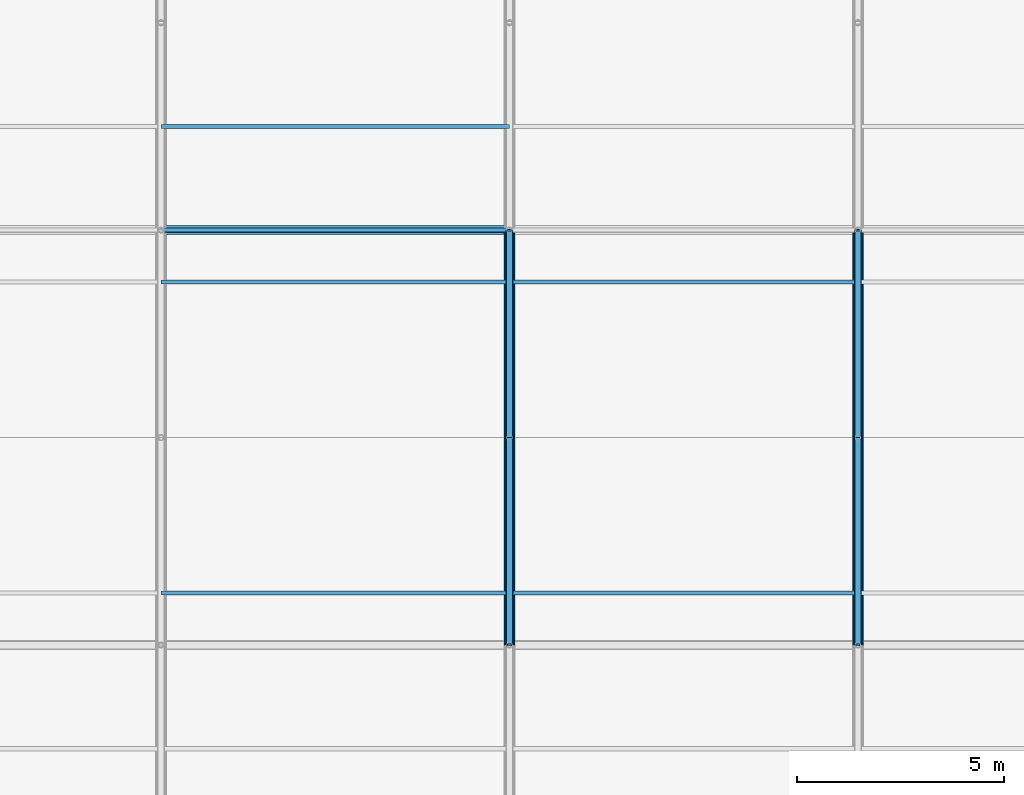
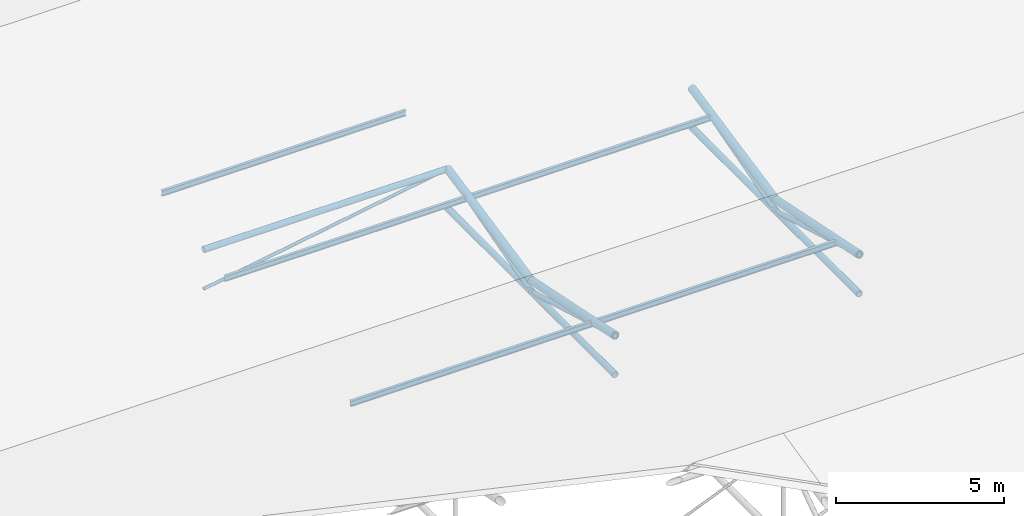
# One storey, part 39 of 194: 14 members, 5 beams.
"""IFC4 building model written with IfcOpenShell, lengths in metres."""

from ifc_helpers import new_model, si_unit, direction, frame, origin, origin_2d, place, context, subcontext, project, spatial, hollow_circle, i_section, extrude, material, material_profile, profile_set, type_object, element, save


model = new_model("IFC4")

# Units and contexts
model_context = context("Model", 3, precision=1e-05, world=origin(), true_north=direction((0.0, 1.0)))
body_context = subcontext(model_context, "Body", "Model", "MODEL_VIEW")
ifc_project = project(units=[si_unit("LENGTHUNIT", "METRE"), si_unit("AREAUNIT", "SQUARE_METRE"), si_unit("VOLUMEUNIT", "CUBIC_METRE"), si_unit("PLANEANGLEUNIT", "RADIAN"), si_unit("MASSUNIT", "GRAM", prefix="KILO")], contexts=[model_context])

# Site, building, storey
site_placement = place(None, origin())
site = spatial("IfcSite", under=ifc_project, at=site_placement, CompositionType="ELEMENT")
building_placement = place(site_placement, origin())
building = spatial("IfcBuilding", under=site, at=building_placement, Name="Kazenagashi Tramway Depot", CompositionType="ELEMENT")
storey_placement = place(building_placement, frame((0.0, 0.0, 23.7)))
storey = spatial("IfcBuildingStorey", under=building, at=storey_placement, Name="ROOF", CompositionType="ELEMENT", Elevation=23.7)

# Beams
ifc_material_1 = material(Name="Steel SN400B", Category="steel")
ifc_material_profile_1 = material_profile(ifc_material_1, i_section(OverallWidth=0.1, OverallDepth=0.2, WebThickness=0.0055, FlangeThickness=0.008, at=origin_2d()), Name="H-200x100x5.5x8")
ifc_profile_set_1 = profile_set([ifc_material_profile_1], Name="Steel SN400B")
beam_type = type_object("IfcBeamType", Name="PR-01", PredefinedType="USERDEFINED", material=ifc_profile_set_1)
for number, where, z_axis, x_axis, name in (
    (1, (61.6, 96.25, -12.955), (1.0, 0.0, 0.0), (0.0, 1.0, 0.0), "Beam PR-01 BM-2110"),
    (2, (70.0, 96.25, -12.955), (1.0, 0.0, 0.0), (0.0, 1.0, 0.0), "Beam PR-01 BM-2111"),
    (3, (61.6, 103.75, -12.955), (1.0, 0.0, 0.0), (0.0, 1.0, 0.0), "Beam PR-01 BM-2128"),
    (4, (70.0, 103.75, -12.955), (1.0, 0.0, 0.0), (0.0, 1.0, 0.0), "Beam PR-01 BM-2129"),
    (5, (61.6, 107.5, -12.13), (1.0, 0.0, 0.0), (0.0, 1.0, 0.0), "Beam PR-01 BM-2146"),
):
    element("IfcBeam", number, at=place(storey_placement, frame(where, z_axis=z_axis, x_axis=x_axis)), inside=storey, type_object=beam_type, Name=name, ObjectType="PURLIN", PredefinedType="USERDEFINED", context=body_context, shape_type="SweptSolid", body=[
        extrude(i_section(OverallWidth=0.1, OverallDepth=0.2, WebThickness=0.0055, FlangeThickness=0.008, at=origin_2d()), origin(), (0.0, 0.0, 1.0), 8.4),
    ])

# Members
ifc_material_2 = material(Name="Steel STK490", Category="steel")
ifc_material_profile_2 = material_profile(ifc_material_2, hollow_circle(Radius=0.1337, WallThickness=0.0093, at=origin_2d()), Name="CHS-267.4x9.3")
ifc_profile_set_2 = profile_set([ifc_material_profile_2], Name="Steel STK490")
member_type_1 = type_object("IfcMemberType", Name="TC-01", PredefinedType="CHORD", material=ifc_profile_set_2)
for number, where, z_axis, x_axis, name in (
    (6, (70.0, 95.0, -12.667), (0.0, 0.979317999984, -0.202327098797), (-1.0, 0.0, 0.0), "Tubular Space Frame TC-01 MEM-0199"),
    (7, (70.0, 100.0, -13.7), (0.0, 0.979317999984, 0.202327098797), (-1.0, 0.0, 0.0), "Tubular Space Frame TC-01 MEM-0215"),
    (8, (78.4, 95.0, -12.667), (0.0, 0.979317999984, -0.202327098797), (-1.0, 0.0, 0.0), "Tubular Space Frame TC-01 MEM-0260"),
    (9, (78.4, 100.0, -13.7), (0.0, 0.979317999984, 0.202327098797), (-1.0, 0.0, 0.0), "Tubular Space Frame TC-01 MEM-0276"),
):
    element("IfcMember", number, at=place(storey_placement, frame(where, z_axis=z_axis, x_axis=x_axis)), inside=storey, type_object=member_type_1, Name=name, PredefinedType="CHORD", context=body_context, shape_type="SweptSolid", body=[
        extrude(hollow_circle(Radius=0.1337, WallThickness=0.0093, at=origin_2d()), origin(), (0.0, 0.0, 1.0), 5.105594),
    ])
ifc_material_profile_3 = material_profile(ifc_material_2, hollow_circle(Radius=0.10815, WallThickness=0.0082, at=origin_2d()), Name="CHS-216.3x8.2")
ifc_profile_set_3 = profile_set([ifc_material_profile_3], Name="Steel STK490")
member_type_2 = type_object("IfcMemberType", Name="TC-02", PredefinedType="CHORD", material=ifc_profile_set_3)
member_1_placement = place(storey_placement, frame((61.6, 105.0, -12.667), z_axis=(1.0, 0.0, 0.0), x_axis=(0.0, 1.0, 0.0)))
element("IfcMember", 10, at=member_1_placement, inside=storey, type_object=member_type_2, Name="Tubular Space Frame TC-02 MEM-0178", PredefinedType="CHORD", context=body_context, shape_type="SweptSolid", body=[
    extrude(hollow_circle(Radius=0.10815, WallThickness=0.0082, at=origin_2d()), origin(), (0.0, 0.0, 1.0), 8.4),
])
for number, where, z_axis, x_axis, name in (
    (11, (70.0, 95.0, -14.1), (0.0, 1.0, 0.0), (-1.0, 0.0, 0.0), "Tubular Space Frame TC-02 MEM-0200"),
    (12, (70.0, 100.0, -14.1), (0.0, 1.0, 0.0), (-1.0, 0.0, 0.0), "Tubular Space Frame TC-02 MEM-0216"),
    (13, (78.4, 95.0, -14.1), (0.0, 1.0, 0.0), (-1.0, 0.0, 0.0), "Tubular Space Frame TC-02 MEM-0261"),
    (14, (78.4, 100.0, -14.1), (0.0, 1.0, 0.0), (-1.0, 0.0, 0.0), "Tubular Space Frame TC-02 MEM-0277"),
):
    element("IfcMember", number, at=place(storey_placement, frame(where, z_axis=z_axis, x_axis=x_axis)), inside=storey, type_object=member_type_2, Name=name, PredefinedType="CHORD", context=body_context, shape_type="SweptSolid", body=[
        extrude(hollow_circle(Radius=0.10815, WallThickness=0.0082, at=origin_2d()), origin(), (0.0, 0.0, 1.0), 5.0),
    ])
ifc_material_profile_4 = material_profile(ifc_material_2, hollow_circle(Radius=0.0826, WallThickness=0.0071, at=origin_2d()), Name="CHS-165.2x7.1")
ifc_profile_set_4 = profile_set([ifc_material_profile_4], Name="Steel STK490")
member_type_3 = type_object("IfcMemberType", Name="TS-01", PredefinedType="STRUT", material=ifc_profile_set_4)
for number, where, z_axis, x_axis, name in (
    (15, (70.0, 95.0, -12.667), (0.0, 0.961298717795, -0.27550821252), (-1.0, 0.0, 0.0), "Tubular Space Frame TS-01 MEM-0201"),
    (16, (70.0, 100.0, -14.1), (0.0, 0.961298717795, 0.27550821252), (-1.0, 0.0, 0.0), "Tubular Space Frame TS-01 MEM-0217"),
    (17, (78.4, 95.0, -12.667), (0.0, 0.961298717795, -0.27550821252), (-1.0, 0.0, 0.0), "Tubular Space Frame TS-01 MEM-0262"),
    (18, (78.4, 100.0, -14.1), (0.0, 0.961298717795, 0.27550821252), (-1.0, 0.0, 0.0), "Tubular Space Frame TS-01 MEM-0278"),
):
    element("IfcMember", number, at=place(storey_placement, frame(where, z_axis=z_axis, x_axis=x_axis)), inside=storey, type_object=member_type_3, Name=name, PredefinedType="STRUT", context=body_context, shape_type="SweptSolid", body=[
        extrude(hollow_circle(Radius=0.0826, WallThickness=0.0071, at=origin_2d()), origin(), (0.0, 0.0, 1.0), 5.201297),
    ])
ifc_material_3 = material(Name="Steel STK400", Category="steel")
ifc_material_profile_5 = material_profile(ifc_material_3, hollow_circle(Radius=0.05715, WallThickness=0.0045, at=origin_2d()), Name="CHS-114.3x4.5")
ifc_profile_set_5 = profile_set([ifc_material_profile_5], Name="Steel STK400")
member_type_4 = type_object("IfcMemberType", Name="TS-03", PredefinedType="STRUT", material=ifc_profile_set_5)
member_2_placement = place(storey_placement, frame((61.6, 105.0, -14.1), z_axis=(0.985758734117, 0.0, 0.168165745951), x_axis=(0.0, 1.0, 0.0)))
element("IfcMember", 19, at=member_2_placement, inside=storey, type_object=member_type_4, Name="Tubular Space Frame TS-03 MEM-0179", PredefinedType="STRUT", context=body_context, shape_type="SweptSolid", body=[
    extrude(hollow_circle(Radius=0.05715, WallThickness=0.0045, at=origin_2d()), origin(), (0.0, 0.0, 1.0), 8.521355),
])

save(model, "model.ifc")
